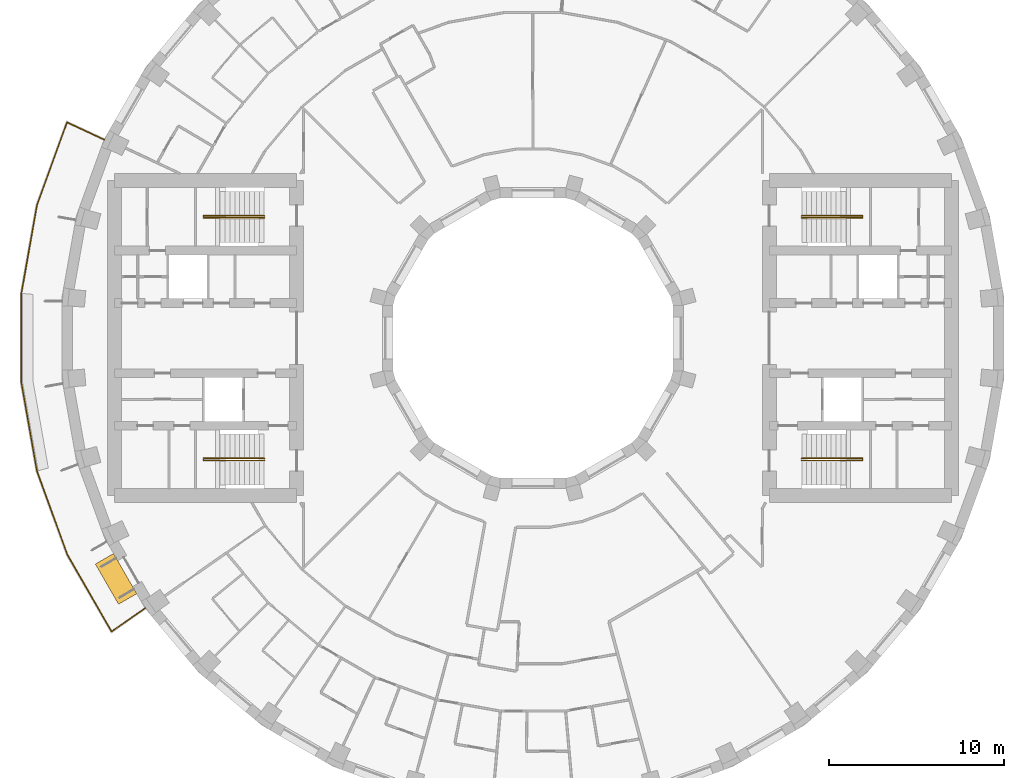
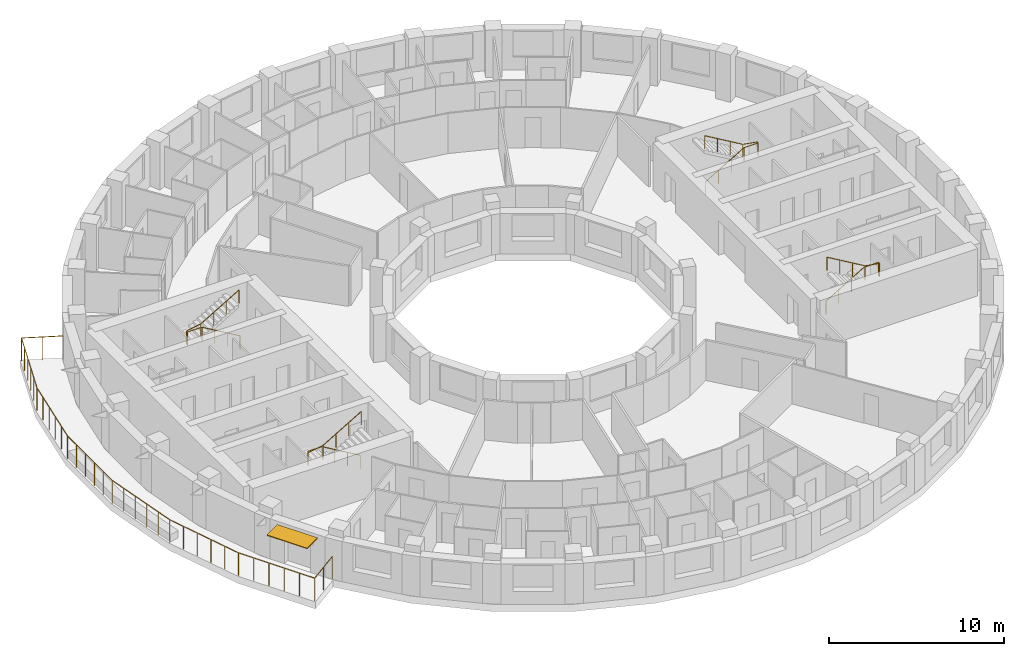
# One storey, part 12 of 12: 5 railings, 1 shading device.
"""IFC4 building model written with IfcOpenShell, lengths in metres."""

from ifc_helpers import new_model, si_unit, direction, frame, origin, origin_2d, place, context, subcontext, project, spatial, rectangle, circle, extrude, material, layer, layer_set, type_object, element, save


model = new_model("IFC4")

# Units and contexts
model_context = context("Model", 3, precision=1e-05, world=origin(), true_north=direction((0.0, 1.0)))
body_context = subcontext(model_context, "Body", "Model", "MODEL_VIEW")
ifc_project = project(units=[si_unit("LENGTHUNIT", "METRE"), si_unit("AREAUNIT", "SQUARE_METRE"), si_unit("VOLUMEUNIT", "CUBIC_METRE"), si_unit("PLANEANGLEUNIT", "RADIAN"), si_unit("MASSUNIT", "GRAM", prefix="KILO")], contexts=[model_context])

# Site, building, storey
site_placement = place(None, origin())
site = spatial("IfcSite", under=ifc_project, at=site_placement, CompositionType="ELEMENT")
building_placement = place(site_placement, origin())
building = spatial("IfcBuilding", under=site, at=building_placement, Name="Saqina Gate Tower", CompositionType="ELEMENT")
storey_placement = place(building_placement, frame((0.0, 0.0, 115.0)))
storey = spatial("IfcBuildingStorey", under=building, at=storey_placement, Name="L32", CompositionType="ELEMENT", Elevation=115.0)

# Shading device
ifc_material_1 = material(Name="Aluminium and fabric awning", Category="aluminium")
ifc_layer = layer(ifc_material_1, 0.050048828125)
ifc_layer_set = layer_set([ifc_layer], Name="AW-TERRACE")
shading_device_type = type_object("IfcShadingDeviceType", Name="AW-TERRACE", PredefinedType="AWNING", material=ifc_layer_set)
shading_device_placement = place(storey_placement, frame((-23.813232421875, -13.74853515625, 2.52490234375), z_axis=(0.0, 0.0, 1.0), x_axis=(0.5, -0.866025403784, 0.0)))
element("IfcShadingDevice", 1, at=shading_device_placement, inside=storey, type_object=shading_device_type, Name="Terrace awning L32 facet 21", PredefinedType="AWNING", context=body_context, shape_type="SweptSolid", body=[
    extrude(rectangle(XDim=2.647705078125, YDim=1.199951171875, at=origin_2d()), origin(), (0.0, 0.0, 1.0), 0.050048828125),
])

# Railings
ifc_material_2 = material(Name="Stainless steel", Category="steel")
railing_type_1 = type_object("IfcRailingType", Name="RL-TERRACE", PredefinedType="GUARDRAIL", material=ifc_material_2)
railing_1_placement = place(storey_placement, frame((-24.44970703125, 11.312744140625, 0.0)))
element("IfcRailing", 2, at=railing_1_placement, inside=storey, type_object=railing_type_1, Name="Terrace guard L32", PredefinedType="GUARDRAIL", context=body_context, shape_type="SweptSolid", body=[
    extrude(circle(Radius=0.02392578125, at=origin_2d()), frame((0.0, 0.0, 1.576171875), z_axis=(-0.906277108403, 0.422684046048, 0.0), x_axis=(-0.422684046048, -0.906277108403, 0.0)), (0.0, 0.0, 1.0), 2.388916015625),
    extrude(circle(Radius=0.02392578125, at=origin_2d()), frame((-2.1650390625, 1.009765625, 1.576171875), z_axis=(-0.340730186221, -0.940161124594, 0.0), x_axis=(0.940161124594, -0.340730186221, 0.0)), (0.0, 0.0, 1.0), 5.032958984375),
    extrude(circle(Radius=0.02392578125, at=origin_2d()), frame((-3.8798828125, -3.721923828125, 1.576171875), z_axis=(-0.173638220049, -0.984809508757, 0.0), x_axis=(0.984809508757, -0.173638220049, 0.0)), (0.0, 0.0, 1.0), 5.1123046875),
    extrude(circle(Radius=0.02392578125, at=origin_2d()), frame((-4.767578125, -8.756591796875, 1.576171875), z_axis=(0.0, -1.0, 0.0), x_axis=(1.0, 0.0, 0.0)), (0.0, 0.0, 1.0), 5.1123046875),
    extrude(circle(Radius=0.02392578125, at=origin_2d()), frame((-4.767578125, -13.868896484375, 1.576171875), z_axis=(0.173638220049, -0.984809508757, 0.0), x_axis=(0.984809508757, 0.173638220049, 0.0)), (0.0, 0.0, 1.0), 5.1123046875),
    extrude(circle(Radius=0.02392578125, at=origin_2d()), frame((-3.8798828125, -18.903564453125, 1.576171875), z_axis=(0.342011445423, -0.939695786518, 0.0), x_axis=(0.939695786518, 0.342011445423, 0.0)), (0.0, 0.0, 1.0), 5.112548828125),
    extrude(circle(Radius=0.02392578125, at=origin_2d()), frame((-2.13134765625, -23.707763671875, 1.576171875), z_axis=(0.498801033986, -0.866716521415, 0.0), x_axis=(0.866716521415, 0.498801033986, 0.0)), (0.0, 0.0, 1.0), 5.032470703125),
    extrude(circle(Radius=0.02392578125, at=origin_2d()), frame((0.37890625, -28.069580078125, 1.576171875), z_axis=(0.819193509898, 0.573517212768, 0.0), x_axis=(-0.573517212768, 0.819193509898, 0.0)), (0.0, 0.0, 1.0), 2.388916015625),
    extrude(circle(Radius=0.02099609375, at=origin_2d()), origin(), (0.0, 0.0, 1.0), 1.552001953125),
    extrude(circle(Radius=0.02099609375, at=origin_2d()), frame((-1.08251953125, 0.5048828125, 0.0)), (0.0, 0.0, 1.0), 1.552001953125),
    extrude(circle(Radius=0.02099609375, at=origin_2d()), frame((-2.1650390625, 1.009765625, 0.0)), (0.0, 0.0, 1.0), 1.552001953125),
    extrude(circle(Radius=0.02099609375, at=origin_2d()), frame((-2.508056640625, 0.0634765625, 0.0)), (0.0, 0.0, 1.0), 1.552001953125),
    extrude(circle(Radius=0.02099609375, at=origin_2d()), frame((-2.85107421875, -0.8828125, 0.0)), (0.0, 0.0, 1.0), 1.552001953125),
    extrude(circle(Radius=0.02099609375, at=origin_2d()), frame((-3.19384765625, -1.829345703125, 0.0)), (0.0, 0.0, 1.0), 1.552001953125),
    extrude(circle(Radius=0.02099609375, at=origin_2d()), frame((-3.536865234375, -2.775634765625, 0.0)), (0.0, 0.0, 1.0), 1.552001953125),
    extrude(circle(Radius=0.02099609375, at=origin_2d()), frame((-3.8798828125, -3.721923828125, 0.0)), (0.0, 0.0, 1.0), 1.552001953125),
    extrude(circle(Radius=0.02099609375, at=origin_2d()), frame((-4.057373046875, -4.728759765625, 0.0)), (0.0, 0.0, 1.0), 1.552001953125),
    extrude(circle(Radius=0.02099609375, at=origin_2d()), frame((-4.23486328125, -5.73583984375, 0.0)), (0.0, 0.0, 1.0), 1.552001953125),
    extrude(circle(Radius=0.02099609375, at=origin_2d()), frame((-4.41259765625, -6.74267578125, 0.0)), (0.0, 0.0, 1.0), 1.552001953125),
    extrude(circle(Radius=0.02099609375, at=origin_2d()), frame((-4.590087890625, -7.749755859375, 0.0)), (0.0, 0.0, 1.0), 1.552001953125),
    extrude(circle(Radius=0.02099609375, at=origin_2d()), frame((-4.767578125, -8.756591796875, 0.0)), (0.0, 0.0, 1.0), 1.552001953125),
    extrude(circle(Radius=0.02099609375, at=origin_2d()), frame((-4.767578125, -9.779052734375, 0.0)), (0.0, 0.0, 1.0), 1.552001953125),
    extrude(circle(Radius=0.02099609375, at=origin_2d()), frame((-4.767578125, -10.801513671875, 0.0)), (0.0, 0.0, 1.0), 1.552001953125),
    extrude(circle(Radius=0.02099609375, at=origin_2d()), frame((-4.767578125, -11.823974609375, 0.0)), (0.0, 0.0, 1.0), 1.552001953125),
    extrude(circle(Radius=0.02099609375, at=origin_2d()), frame((-4.767578125, -12.846435546875, 0.0)), (0.0, 0.0, 1.0), 1.552001953125),
    extrude(circle(Radius=0.02099609375, at=origin_2d()), frame((-4.767578125, -13.868896484375, 0.0)), (0.0, 0.0, 1.0), 1.552001953125),
    extrude(circle(Radius=0.02099609375, at=origin_2d()), frame((-4.590087890625, -14.875732421875, 0.0)), (0.0, 0.0, 1.0), 1.552001953125),
    extrude(circle(Radius=0.02099609375, at=origin_2d()), frame((-4.41259765625, -15.8828125, 0.0)), (0.0, 0.0, 1.0), 1.552001953125),
    extrude(circle(Radius=0.02099609375, at=origin_2d()), frame((-4.23486328125, -16.8896484375, 0.0)), (0.0, 0.0, 1.0), 1.552001953125),
    extrude(circle(Radius=0.02099609375, at=origin_2d()), frame((-4.057373046875, -17.896728515625, 0.0)), (0.0, 0.0, 1.0), 1.552001953125),
    extrude(circle(Radius=0.02099609375, at=origin_2d()), frame((-3.8798828125, -18.903564453125, 0.0)), (0.0, 0.0, 1.0), 1.552001953125),
    extrude(circle(Radius=0.02099609375, at=origin_2d()), frame((-3.5302734375, -19.864501953125, 0.0)), (0.0, 0.0, 1.0), 1.552001953125),
    extrude(circle(Radius=0.02099609375, at=origin_2d()), frame((-3.180419921875, -20.8251953125, 0.0)), (0.0, 0.0, 1.0), 1.552001953125),
    extrude(circle(Radius=0.02099609375, at=origin_2d()), frame((-2.830810546875, -21.7861328125, 0.0)), (0.0, 0.0, 1.0), 1.552001953125),
    extrude(circle(Radius=0.02099609375, at=origin_2d()), frame((-2.48095703125, -22.746826171875, 0.0)), (0.0, 0.0, 1.0), 1.552001953125),
    extrude(circle(Radius=0.02099609375, at=origin_2d()), frame((-2.13134765625, -23.707763671875, 0.0)), (0.0, 0.0, 1.0), 1.552001953125),
    extrude(circle(Radius=0.02099609375, at=origin_2d()), frame((-1.62939453125, -24.580078125, 0.0)), (0.0, 0.0, 1.0), 1.552001953125),
    extrude(circle(Radius=0.02099609375, at=origin_2d()), frame((-1.127197265625, -25.452392578125, 0.0)), (0.0, 0.0, 1.0), 1.552001953125),
    extrude(circle(Radius=0.02099609375, at=origin_2d()), frame((-0.625244140625, -26.324951171875, 0.0)), (0.0, 0.0, 1.0), 1.552001953125),
    extrude(circle(Radius=0.02099609375, at=origin_2d()), frame((-0.123046875, -27.197265625, 0.0)), (0.0, 0.0, 1.0), 1.552001953125),
    extrude(circle(Radius=0.02099609375, at=origin_2d()), frame((0.37890625, -28.069580078125, 0.0)), (0.0, 0.0, 1.0), 1.552001953125),
    extrude(circle(Radius=0.02099609375, at=origin_2d()), frame((1.357421875, -27.384521484375, 0.0)), (0.0, 0.0, 1.0), 1.552001953125),
    extrude(circle(Radius=0.02099609375, at=origin_2d()), frame((2.3359375, -26.699462890625, 0.0)), (0.0, 0.0, 1.0), 1.552001953125),
])
ifc_material_3 = material(Name="Stainless steel", Category="steel")
railing_type_2 = type_object("IfcRailingType", Name="STAIR HANDRAIL", PredefinedType="HANDRAIL", material=ifc_material_3)
railing_2_placement = place(storey_placement, frame((15.35009765625, 6.86669921875, 0.1650390625)))
element("IfcRailing", 3, at=railing_2_placement, inside=storey, type_object=railing_type_2, Name="EXIT STAIR 1 HANDRAIL", PredefinedType="HANDRAIL", context=body_context, shape_type="SweptSolid", body=[
    extrude(circle(Radius=0.02392578125, at=origin_2d()), frame((0.0, 0.0, 0.92578125), z_axis=(0.861560626758, 0.0, 0.507654692109), x_axis=(0.0, 1.0, 0.0)), (0.0, 0.0, 1.0), 2.925048828125),
    extrude(circle(Radius=0.02392578125, at=origin_2d()), frame((2.52001953125, 0.0, 2.41064453125), z_axis=(1.0, 0.0, 0.0), x_axis=(0.0, 1.0, 0.0)), (0.0, 0.0, 1.0), 0.949951171875),
    extrude(circle(Radius=0.02392578125, at=origin_2d()), frame((3.469970703125, 0.0, 2.41064453125), z_axis=(0.0, 1.0, 0.0), x_axis=(-1.0, 0.0, 0.0)), (0.0, 0.0, 1.0), 0.11669921875),
    extrude(circle(Radius=0.02392578125, at=origin_2d()), frame((3.469970703125, 0.11669921875, 2.41064453125), z_axis=(-0.985241474778, 0.0, 0.171170197109), x_axis=(0.0, -1.0, 0.0)), (0.0, 0.0, 1.0), 0.964111328125),
    extrude(circle(Radius=0.02392578125, at=origin_2d()), frame((2.52001953125, 0.11669921875, 2.57568359375), z_axis=(-0.86152411907, 0.0, 0.507716645641), x_axis=(0.0, -1.0, 0.0)), (0.0, 0.0, 1.0), 2.925048828125),
    extrude(circle(Radius=0.02099609375, at=origin_2d()), origin(), (0.0, 0.0, 1.0), 0.90185546875),
    extrude(circle(Radius=0.02099609375, at=origin_2d()), frame((0.840087890625, 0.0, 0.494873046875)), (0.0, 0.0, 1.0), 0.90185546875),
    extrude(circle(Radius=0.02099609375, at=origin_2d()), frame((1.679931640625, 0.0, 0.989990234375)), (0.0, 0.0, 1.0), 0.90185546875),
    extrude(circle(Radius=0.02099609375, at=origin_2d()), frame((2.52001953125, 0.0, 1.48486328125)), (0.0, 0.0, 1.0), 0.90185546875),
    extrude(circle(Radius=0.02099609375, at=origin_2d()), frame((3.469970703125, 0.0, 1.48486328125)), (0.0, 0.0, 1.0), 0.90185546875),
    extrude(circle(Radius=0.02099609375, at=origin_2d()), frame((3.469970703125, 0.11669921875, 1.48486328125)), (0.0, 0.0, 1.0), 0.90185546875),
    extrude(circle(Radius=0.02099609375, at=origin_2d()), frame((2.52001953125, 0.11669921875, 1.64990234375)), (0.0, 0.0, 1.0), 0.90185546875),
    extrude(circle(Radius=0.02099609375, at=origin_2d()), frame((1.679931640625, 0.11669921875, 2.14501953125)), (0.0, 0.0, 1.0), 0.90185546875),
    extrude(circle(Radius=0.02099609375, at=origin_2d()), frame((0.840087890625, 0.11669921875, 2.639892578125)), (0.0, 0.0, 1.0), 0.90185546875),
    extrude(circle(Radius=0.02099609375, at=origin_2d()), frame((0.0, 0.11669921875, 3.135009765625)), (0.0, 0.0, 1.0), 0.90185546875),
])
railing_3_placement = place(storey_placement, frame((15.35009765625, -6.86669921875, 0.1650390625)))
element("IfcRailing", 4, at=railing_3_placement, inside=storey, type_object=railing_type_2, Name="EXIT STAIR 2 HANDRAIL", PredefinedType="HANDRAIL", context=body_context, shape_type="SweptSolid", body=[
    extrude(circle(Radius=0.02392578125, at=origin_2d()), frame((0.0, 0.0, 0.92578125), z_axis=(0.861560626758, 0.0, 0.507654692109), x_axis=(0.0, 1.0, 0.0)), (0.0, 0.0, 1.0), 2.925048828125),
    extrude(circle(Radius=0.02392578125, at=origin_2d()), frame((2.52001953125, 0.0, 2.41064453125), z_axis=(1.0, 0.0, 0.0), x_axis=(0.0, 1.0, 0.0)), (0.0, 0.0, 1.0), 0.949951171875),
    extrude(circle(Radius=0.02392578125, at=origin_2d()), frame((3.469970703125, 0.0, 2.41064453125), z_axis=(0.0, -1.0, 0.0), x_axis=(1.0, 0.0, 0.0)), (0.0, 0.0, 1.0), 0.11669921875),
    extrude(circle(Radius=0.02392578125, at=origin_2d()), frame((3.469970703125, -0.11669921875, 2.41064453125), z_axis=(-0.985241474778, 0.0, 0.171170197109), x_axis=(0.0, -1.0, 0.0)), (0.0, 0.0, 1.0), 0.964111328125),
    extrude(circle(Radius=0.02392578125, at=origin_2d()), frame((2.52001953125, -0.11669921875, 2.57568359375), z_axis=(-0.86152411907, 0.0, 0.507716645641), x_axis=(0.0, -1.0, 0.0)), (0.0, 0.0, 1.0), 2.925048828125),
    extrude(circle(Radius=0.02099609375, at=origin_2d()), origin(), (0.0, 0.0, 1.0), 0.90185546875),
    extrude(circle(Radius=0.02099609375, at=origin_2d()), frame((0.840087890625, 0.0, 0.494873046875)), (0.0, 0.0, 1.0), 0.90185546875),
    extrude(circle(Radius=0.02099609375, at=origin_2d()), frame((1.679931640625, 0.0, 0.989990234375)), (0.0, 0.0, 1.0), 0.90185546875),
    extrude(circle(Radius=0.02099609375, at=origin_2d()), frame((2.52001953125, 0.0, 1.48486328125)), (0.0, 0.0, 1.0), 0.90185546875),
    extrude(circle(Radius=0.02099609375, at=origin_2d()), frame((3.469970703125, 0.0, 1.48486328125)), (0.0, 0.0, 1.0), 0.90185546875),
    extrude(circle(Radius=0.02099609375, at=origin_2d()), frame((3.469970703125, -0.11669921875, 1.48486328125)), (0.0, 0.0, 1.0), 0.90185546875),
    extrude(circle(Radius=0.02099609375, at=origin_2d()), frame((2.52001953125, -0.11669921875, 1.64990234375)), (0.0, 0.0, 1.0), 0.90185546875),
    extrude(circle(Radius=0.02099609375, at=origin_2d()), frame((1.679931640625, -0.11669921875, 2.14501953125)), (0.0, 0.0, 1.0), 0.90185546875),
    extrude(circle(Radius=0.02099609375, at=origin_2d()), frame((0.840087890625, -0.11669921875, 2.639892578125)), (0.0, 0.0, 1.0), 0.90185546875),
    extrude(circle(Radius=0.02099609375, at=origin_2d()), frame((0.0, -0.11669921875, 3.135009765625)), (0.0, 0.0, 1.0), 0.90185546875),
])
railing_4_placement = place(storey_placement, frame((-15.35009765625, 6.86669921875, 0.1650390625)))
element("IfcRailing", 5, at=railing_4_placement, inside=storey, type_object=railing_type_2, Name="EXIT STAIR 3 HANDRAIL", PredefinedType="HANDRAIL", context=body_context, shape_type="SweptSolid", body=[
    extrude(circle(Radius=0.02392578125, at=origin_2d()), frame((0.0, 0.0, 0.92578125), z_axis=(-0.861560626758, 0.0, 0.507654692109), x_axis=(0.0, -1.0, 0.0)), (0.0, 0.0, 1.0), 2.925048828125),
    extrude(circle(Radius=0.02392578125, at=origin_2d()), frame((-2.52001953125, 0.0, 2.41064453125), z_axis=(-1.0, 0.0, 0.0), x_axis=(0.0, -1.0, 0.0)), (0.0, 0.0, 1.0), 0.949951171875),
    extrude(circle(Radius=0.02392578125, at=origin_2d()), frame((-3.469970703125, 0.0, 2.41064453125), z_axis=(0.0, 1.0, 0.0), x_axis=(-1.0, 0.0, 0.0)), (0.0, 0.0, 1.0), 0.11669921875),
    extrude(circle(Radius=0.02392578125, at=origin_2d()), frame((-3.469970703125, 0.11669921875, 2.41064453125), z_axis=(0.985241474778, 0.0, 0.171170197109), x_axis=(0.0, 1.0, 0.0)), (0.0, 0.0, 1.0), 0.964111328125),
    extrude(circle(Radius=0.02392578125, at=origin_2d()), frame((-2.52001953125, 0.11669921875, 2.57568359375), z_axis=(0.86152411907, 0.0, 0.507716645641), x_axis=(0.0, 1.0, 0.0)), (0.0, 0.0, 1.0), 2.925048828125),
    extrude(circle(Radius=0.02099609375, at=origin_2d()), origin(), (0.0, 0.0, 1.0), 0.90185546875),
    extrude(circle(Radius=0.02099609375, at=origin_2d()), frame((-0.840087890625, 0.0, 0.494873046875)), (0.0, 0.0, 1.0), 0.90185546875),
    extrude(circle(Radius=0.02099609375, at=origin_2d()), frame((-1.679931640625, 0.0, 0.989990234375)), (0.0, 0.0, 1.0), 0.90185546875),
    extrude(circle(Radius=0.02099609375, at=origin_2d()), frame((-2.52001953125, 0.0, 1.48486328125)), (0.0, 0.0, 1.0), 0.90185546875),
    extrude(circle(Radius=0.02099609375, at=origin_2d()), frame((-3.469970703125, 0.0, 1.48486328125)), (0.0, 0.0, 1.0), 0.90185546875),
    extrude(circle(Radius=0.02099609375, at=origin_2d()), frame((-3.469970703125, 0.11669921875, 1.48486328125)), (0.0, 0.0, 1.0), 0.90185546875),
    extrude(circle(Radius=0.02099609375, at=origin_2d()), frame((-2.52001953125, 0.11669921875, 1.64990234375)), (0.0, 0.0, 1.0), 0.90185546875),
    extrude(circle(Radius=0.02099609375, at=origin_2d()), frame((-1.679931640625, 0.11669921875, 2.14501953125)), (0.0, 0.0, 1.0), 0.90185546875),
    extrude(circle(Radius=0.02099609375, at=origin_2d()), frame((-0.840087890625, 0.11669921875, 2.639892578125)), (0.0, 0.0, 1.0), 0.90185546875),
    extrude(circle(Radius=0.02099609375, at=origin_2d()), frame((0.0, 0.11669921875, 3.135009765625)), (0.0, 0.0, 1.0), 0.90185546875),
])
railing_5_placement = place(storey_placement, frame((-15.35009765625, -6.86669921875, 0.1650390625)))
element("IfcRailing", 6, at=railing_5_placement, inside=storey, type_object=railing_type_2, Name="EXIT STAIR 4 HANDRAIL", PredefinedType="HANDRAIL", context=body_context, shape_type="SweptSolid", body=[
    extrude(circle(Radius=0.02392578125, at=origin_2d()), frame((0.0, 0.0, 0.92578125), z_axis=(-0.861560626758, 0.0, 0.507654692109), x_axis=(0.0, -1.0, 0.0)), (0.0, 0.0, 1.0), 2.925048828125),
    extrude(circle(Radius=0.02392578125, at=origin_2d()), frame((-2.52001953125, 0.0, 2.41064453125), z_axis=(-1.0, 0.0, 0.0), x_axis=(0.0, -1.0, 0.0)), (0.0, 0.0, 1.0), 0.949951171875),
    extrude(circle(Radius=0.02392578125, at=origin_2d()), frame((-3.469970703125, 0.0, 2.41064453125), z_axis=(0.0, -1.0, 0.0), x_axis=(1.0, 0.0, 0.0)), (0.0, 0.0, 1.0), 0.11669921875),
    extrude(circle(Radius=0.02392578125, at=origin_2d()), frame((-3.469970703125, -0.11669921875, 2.41064453125), z_axis=(0.985241474778, 0.0, 0.171170197109), x_axis=(0.0, 1.0, 0.0)), (0.0, 0.0, 1.0), 0.964111328125),
    extrude(circle(Radius=0.02392578125, at=origin_2d()), frame((-2.52001953125, -0.11669921875, 2.57568359375), z_axis=(0.86152411907, 0.0, 0.507716645641), x_axis=(0.0, 1.0, 0.0)), (0.0, 0.0, 1.0), 2.925048828125),
    extrude(circle(Radius=0.02099609375, at=origin_2d()), origin(), (0.0, 0.0, 1.0), 0.90185546875),
    extrude(circle(Radius=0.02099609375, at=origin_2d()), frame((-0.840087890625, 0.0, 0.494873046875)), (0.0, 0.0, 1.0), 0.90185546875),
    extrude(circle(Radius=0.02099609375, at=origin_2d()), frame((-1.679931640625, 0.0, 0.989990234375)), (0.0, 0.0, 1.0), 0.90185546875),
    extrude(circle(Radius=0.02099609375, at=origin_2d()), frame((-2.52001953125, 0.0, 1.48486328125)), (0.0, 0.0, 1.0), 0.90185546875),
    extrude(circle(Radius=0.02099609375, at=origin_2d()), frame((-3.469970703125, 0.0, 1.48486328125)), (0.0, 0.0, 1.0), 0.90185546875),
    extrude(circle(Radius=0.02099609375, at=origin_2d()), frame((-3.469970703125, -0.11669921875, 1.48486328125)), (0.0, 0.0, 1.0), 0.90185546875),
    extrude(circle(Radius=0.02099609375, at=origin_2d()), frame((-2.52001953125, -0.11669921875, 1.64990234375)), (0.0, 0.0, 1.0), 0.90185546875),
    extrude(circle(Radius=0.02099609375, at=origin_2d()), frame((-1.679931640625, -0.11669921875, 2.14501953125)), (0.0, 0.0, 1.0), 0.90185546875),
    extrude(circle(Radius=0.02099609375, at=origin_2d()), frame((-0.840087890625, -0.11669921875, 2.639892578125)), (0.0, 0.0, 1.0), 0.90185546875),
    extrude(circle(Radius=0.02099609375, at=origin_2d()), frame((0.0, -0.11669921875, 3.135009765625)), (0.0, 0.0, 1.0), 0.90185546875),
])

save(model, "model.ifc")
